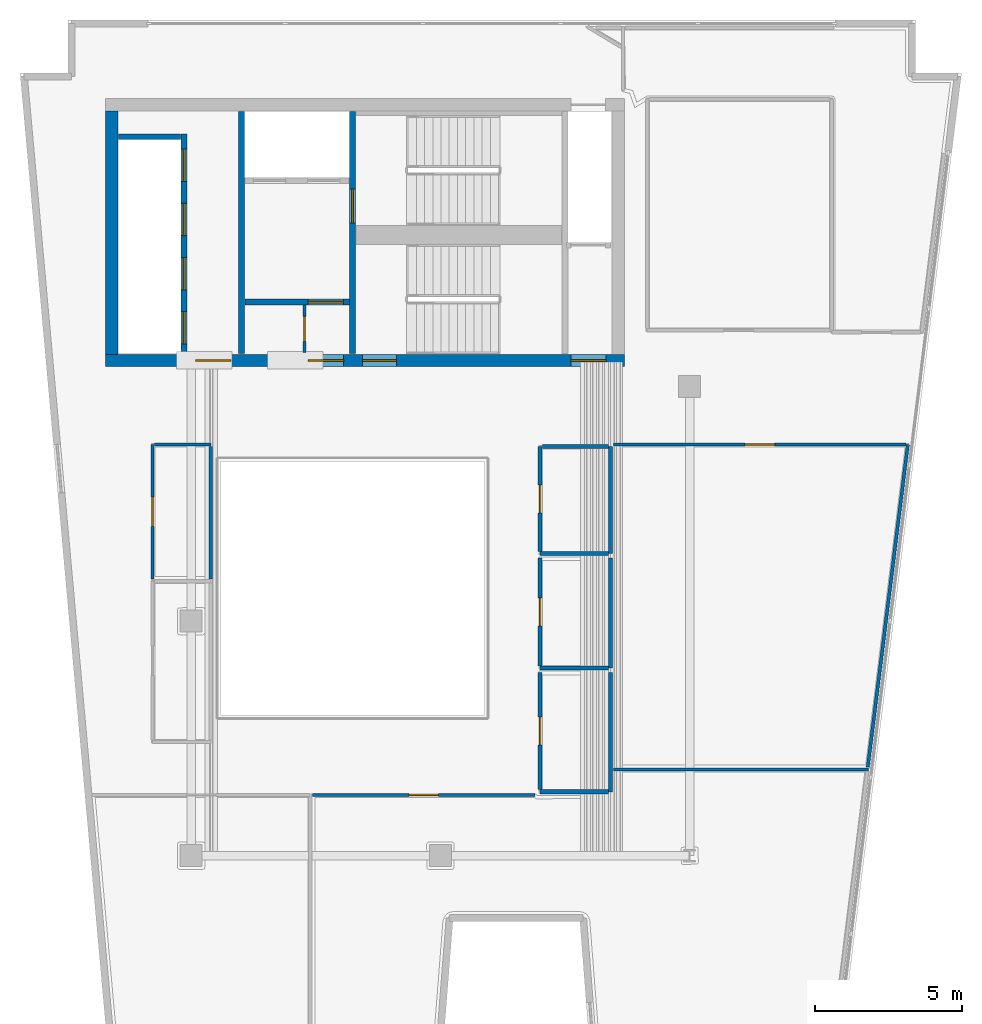
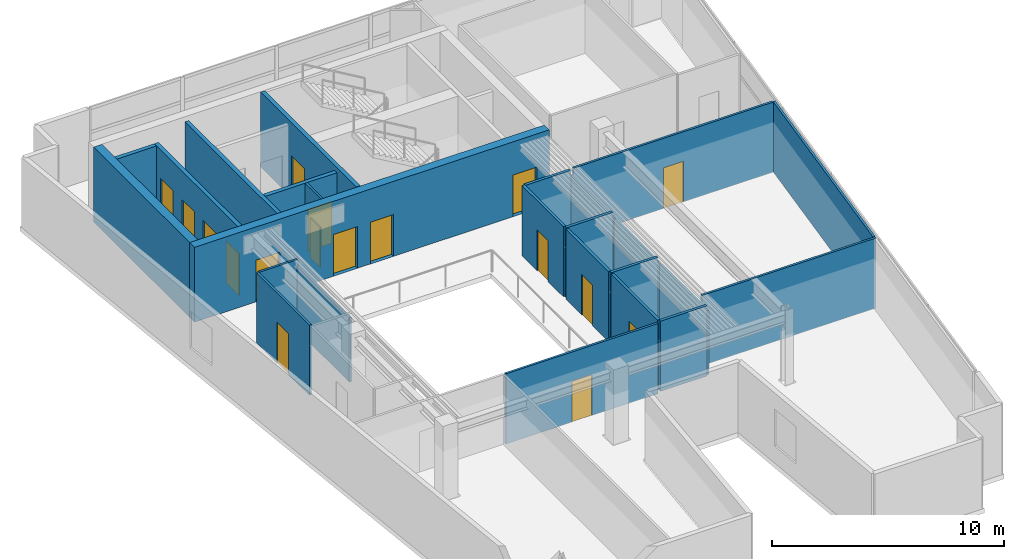
# One storey, part 4 of 7: 25 walls, 17 doors, 17 openings.
"""IFC4 building model written with IfcOpenShell, lengths in metres."""

from ifc_helpers import new_model, si_unit, direction, frame, frame_2d, origin, place, context, subcontext, project, spatial, rectangle, extrude, material, layer, layer_set, type_object, element, fill, save


model = new_model("IFC4")

# Units and contexts
model_context = context("Model", 3, precision=1e-05, world=origin(), true_north=direction((0.0, 1.0)))
body_context = subcontext(model_context, "Body", "Model", "MODEL_VIEW")
ifc_project = project(units=[si_unit("LENGTHUNIT", "METRE"), si_unit("AREAUNIT", "SQUARE_METRE"), si_unit("VOLUMEUNIT", "CUBIC_METRE"), si_unit("PLANEANGLEUNIT", "RADIAN"), si_unit("MASSUNIT", "GRAM", prefix="KILO")], contexts=[model_context])

# Site, building, storey
site_placement = place(None, origin())
site = spatial("IfcSite", under=ifc_project, at=site_placement, CompositionType="ELEMENT")
building_placement = place(site_placement, origin())
building = spatial("IfcBuilding", under=site, at=building_placement, Name="Caeloran Harvest Quay", CompositionType="ELEMENT")
storey_placement = place(building_placement, frame((0.0, 0.0, 264.60009765625)))
storey = spatial("IfcBuildingStorey", under=building, at=storey_placement, Name="L63", CompositionType="ELEMENT", Elevation=264.60009765625)

# Wall, opening, door
ifc_material_1 = material(Name="Fire-Resisting Gypsum Core Riser Partition", Category="gypsum")
ifc_layer_1 = layer(ifc_material_1, 0.10009765625, Name="Fire-Resisting Gypsum Core Riser Partition")
ifc_layer_set_1 = layer_set([ifc_layer_1], Name="Fire-Resisting Gypsum Core Riser Partition")
wall_type_1 = type_object("IfcWallType", Name="INT-WALL-PW-100", PredefinedType="PARTITIONING", material=ifc_layer_set_1)
wall_1_placement = place(storey_placement, frame((12.360107421875, 32.159912109375, 0.0), z_axis=(0.0, 0.0, 1.0), x_axis=(0.0, 1.0, 0.0)))
wall_1 = element("IfcWall", 1, at=wall_1_placement, inside=storey, type_object=wall_type_1, Name="L63 Core Store Partition Wall", PredefinedType="PARTITIONING", context=body_context, shape_type="SweptSolid", body=[
    extrude(rectangle(XDim=1.6201171875, YDim=0.10009765625, at=frame_2d((0.81005859375, 0.0))), origin(), (0.0, 0.0, 1.0), 3.699951171875),
])
opening_1_placement = place(wall_1_placement, frame((0.3798828125, 0.0, 0.0)))
opening_1 = element("IfcOpeningElement", 2, at=opening_1_placement, cuts=wall_1, Name="Opening SV-01", PredefinedType="OPENING", context=body_context, shape_type="SweptSolid", body=[
    extrude(rectangle(XDim=0.85009765625, YDim=2.10009765625, at=frame_2d((0.425048828125, 1.050048828125))), frame((0.0, 0.06005859375, 0.0), z_axis=(0.0, -1.0, 0.0), x_axis=(1.0, 0.0, 0.0)), (0.0, 0.0, 1.0), 0.1201171875),
])
ifc_material_2 = material(Name="Galvanized Painted Steel", Category="steel")
door_type_1 = type_object("IfcDoorType", Name="INTDOOR-SV-01", OperationType="NOTDEFINED", PredefinedType="DOOR", material=ifc_material_2)
door_1_placement = place(opening_1_placement, origin())
door_1 = element("IfcDoor", 3, at=door_1_placement, inside=storey, type_object=door_type_1, Name="L63 Core Service Room Access Door", OperationType="SINGLE_SWING_RIGHT", OverallHeight=2.10009765625, OverallWidth=0.85009765625, PredefinedType="DOOR", context=body_context, shape_type="SweptSolid", body=[
    extrude(rectangle(XDim=0.85009765625, YDim=2.10009765625, at=frame_2d((0.425048828125, 1.050048828125))), frame((0.0, 0.02490234375, 0.0), z_axis=(0.0, -1.0, 0.0), x_axis=(1.0, 0.0, 0.0)), (0.0, 0.0, 1.0), 0.050048828125),
])
fill(opening_1, door_1)

# Wall
ifc_material_3 = material(Name="Single-Stud Acoustic Gypsum Office Partition", Category="gypsum")
ifc_layer_2 = layer(ifc_material_3, 0.112060546875, Name="Single-Stud Acoustic Gypsum Office Partition")
ifc_layer_set_2 = layer_set([ifc_layer_2], Name="Single-Stud Acoustic Gypsum Office Partition")
wall_type_2 = type_object("IfcWallType", Name="INT-WALL-PW-112", PredefinedType="PARTITIONING", material=ifc_layer_set_2)
wall_2_placement = place(storey_placement, frame((22.909912109375, 17.93994140625, 0.0), z_axis=(0.0, 0.0, 1.0), x_axis=(1.0, 0.0, 0.0)))
element("IfcWall", 4, at=wall_2_placement, inside=storey, type_object=wall_type_2, Name="Philanthropy Impact Office Partition Wall", PredefinedType="PARTITIONING", context=body_context, shape_type="SweptSolid", body=[
    extrude(rectangle(XDim=8.6904296875, YDim=0.112060546875, at=frame_2d((4.34521484375, 0.0))), origin(), (0.0, 0.0, 1.0), 3.699951171875),
])

# Wall, opening, door
wall_3_placement = place(storey_placement, frame((12.639892578125, 17.070068359375, 0.0), z_axis=(0.0, 0.0, 1.0), x_axis=(1.0, 0.0, 0.0)))
wall_3 = element("IfcWall", 5, at=wall_3_placement, inside=storey, type_object=wall_type_2, Name="Philanthropy Impact Office Partition Wall", PredefinedType="PARTITIONING", context=body_context, shape_type="SweptSolid", body=[
    extrude(rectangle(XDim=7.587158203125, YDim=0.112060546875, at=frame_2d((3.79345703125, 0.0))), origin(), (0.0, 0.0, 1.0), 3.699951171875),
])
opening_2_placement = place(wall_3_placement, frame((3.29345703125, 0.0, 0.0)))
opening_2 = element("IfcOpeningElement", 6, at=opening_2_placement, cuts=wall_3, Name="Opening ID-01", PredefinedType="OPENING", context=body_context, shape_type="SweptSolid", body=[
    extrude(rectangle(XDim=1.0, YDim=2.14990234375, at=frame_2d((0.5, 1.074951171875))), frame((0.0, 0.06591796875, 0.0), z_axis=(0.0, -1.0, 0.0), x_axis=(1.0, 0.0, 0.0)), (0.0, 0.0, 1.0), 0.132080078125),
])
ifc_material_4 = material(Name="FSC Solid-Core Ash Timber and Acoustic Seal", Category="wood")
door_type_2 = type_object("IfcDoorType", Name="INTDOOR-ID-01", OperationType="NOTDEFINED", PredefinedType="DOOR", material=ifc_material_4)
door_2_placement = place(opening_2_placement, origin())
door_2 = element("IfcDoor", 7, at=door_2_placement, inside=storey, type_object=door_type_2, Name="Philanthropy Impact Office Access Door", OperationType="SINGLE_SWING_LEFT", OverallHeight=2.14990234375, OverallWidth=1.0, PredefinedType="DOOR", context=body_context, shape_type="SweptSolid", body=[
    extrude(rectangle(XDim=1.0, YDim=2.14990234375, at=frame_2d((0.5, 1.074951171875))), frame((0.0, 0.02490234375, 0.0), z_axis=(0.0, -1.0, 0.0), x_axis=(1.0, 0.0, 0.0)), (0.0, 0.0, 1.0), 0.050048828125),
])
fill(opening_2, door_2)

# Wall
wall_4_placement = place(storey_placement, frame((32.94091796875, 29.02001953125, 0.0), z_axis=(0.0, 0.0, 1.0), x_axis=(-0.123232290614, -0.99237785271, 0.0)))
element("IfcWall", 8, at=wall_4_placement, inside=storey, type_object=wall_type_2, Name="Investment Committee Boardroom Partition Wall", PredefinedType="PARTITIONING", context=body_context, shape_type="SweptSolid", body=[
    extrude(rectangle(XDim=11.08447265625, YDim=0.112060546875, at=frame_2d((5.542236328125, 0.0))), origin(), (0.0, 0.0, 1.0), 3.699951171875),
])

# Wall, opening, door
wall_5_placement = place(storey_placement, frame((22.909912109375, 29.02001953125, 0.0), z_axis=(0.0, 0.0, 1.0), x_axis=(1.0, 0.0, 0.0)))
wall_5 = element("IfcWall", 9, at=wall_5_placement, inside=storey, type_object=wall_type_2, Name="Investment Committee Boardroom Partition Wall", PredefinedType="PARTITIONING", context=body_context, shape_type="SweptSolid", body=[
    extrude(rectangle(XDim=9.969482421875, YDim=0.112060546875, at=frame_2d((4.98486328125, 0.0))), origin(), (0.0, 0.0, 1.0), 3.699951171875),
])
opening_3_placement = place(wall_5_placement, frame((4.48486328125, 0.0, 0.0)))
opening_3 = element("IfcOpeningElement", 10, at=opening_3_placement, cuts=wall_5, Name="Opening ID-01", PredefinedType="OPENING", context=body_context, shape_type="SweptSolid", body=[
    extrude(rectangle(XDim=1.0, YDim=2.14990234375, at=frame_2d((0.5, 1.074951171875))), frame((0.0, 0.06591796875, 0.0), z_axis=(0.0, -1.0, 0.0), x_axis=(1.0, 0.0, 0.0)), (0.0, 0.0, 1.0), 0.132080078125),
])
door_3_placement = place(opening_3_placement, origin())
door_3 = element("IfcDoor", 11, at=door_3_placement, inside=storey, type_object=door_type_2, Name="Investment Committee Boardroom Access Door", OperationType="SINGLE_SWING_LEFT", OverallHeight=2.14990234375, OverallWidth=1.0, PredefinedType="DOOR", context=body_context, shape_type="SweptSolid", body=[
    extrude(rectangle(XDim=1.0, YDim=2.14990234375, at=frame_2d((0.5, 1.074951171875))), frame((0.0, 0.02490234375, 0.0), z_axis=(0.0, -1.0, 0.0), x_axis=(1.0, 0.0, 0.0)), (0.0, 0.0, 1.0), 0.050048828125),
])
fill(opening_3, door_3)

wall_6_placement = place(storey_placement, frame((7.179931640625, 24.43994140625, 0.0), z_axis=(0.0, 0.0, 1.0), x_axis=(0.0, 1.0, 0.0)))
wall_6 = element("IfcWall", 12, at=wall_6_placement, inside=storey, type_object=wall_type_2, Name="Harbour Sky Salon Lounge Partition Wall", PredefinedType="PARTITIONING", context=body_context, shape_type="SweptSolid", body=[
    extrude(rectangle(XDim=4.580078125, YDim=0.112060546875, at=frame_2d((2.2900390625, 0.0))), origin(), (0.0, 0.0, 1.0), 3.699951171875),
])
opening_4_placement = place(wall_6_placement, frame((1.7900390625, 0.0, 0.0)))
opening_4 = element("IfcOpeningElement", 13, at=opening_4_placement, cuts=wall_6, Name="Opening ID-01", PredefinedType="OPENING", context=body_context, shape_type="SweptSolid", body=[
    extrude(rectangle(XDim=1.0, YDim=2.14990234375, at=frame_2d((0.5, 1.074951171875))), frame((0.0, 0.06591796875, 0.0), z_axis=(0.0, -1.0, 0.0), x_axis=(1.0, 0.0, 0.0)), (0.0, 0.0, 1.0), 0.132080078125),
])
door_4_placement = place(opening_4_placement, origin())
door_4 = element("IfcDoor", 14, at=door_4_placement, inside=storey, type_object=door_type_2, Name="Harbour Sky Salon Lounge Access Door", OperationType="SINGLE_SWING_RIGHT", OverallHeight=2.14990234375, OverallWidth=1.0, PredefinedType="DOOR", context=body_context, shape_type="SweptSolid", body=[
    extrude(rectangle(XDim=1.0, YDim=2.14990234375, at=frame_2d((0.5, 1.074951171875))), frame((0.0, 0.02490234375, 0.0), z_axis=(0.0, -1.0, 0.0), x_axis=(1.0, 0.0, 0.0)), (0.0, 0.0, 1.0), 0.050048828125),
])
fill(opening_4, door_4)

# Walls
wall_7_placement = place(storey_placement, frame((7.240966796875, 29.02001953125, 0.0), z_axis=(0.0, 0.0, 1.0), x_axis=(1.0, 0.0, 0.0)))
element("IfcWall", 15, at=wall_7_placement, inside=storey, type_object=wall_type_2, Name="Harbour Sky Salon Lounge Partition Wall", PredefinedType="PARTITIONING", context=body_context, shape_type="SweptSolid", body=[
    extrude(rectangle(XDim=1.928955078125, YDim=0.112060546875, at=frame_2d((0.96435546875, 0.0))), origin(), (0.0, 0.0, 1.0), 3.699951171875),
])
wall_8_placement = place(storey_placement, frame((9.169921875, 28.958984375, 0.0), z_axis=(0.0, 0.0, 1.0), x_axis=(0.0, -1.0, 0.0)))
element("IfcWall", 16, at=wall_8_placement, inside=storey, type_object=wall_type_2, Name="Harbour Sky Salon Lounge Partition Wall", PredefinedType="PARTITIONING", context=body_context, shape_type="SweptSolid", body=[
    extrude(rectangle(XDim=4.51904296875, YDim=0.112060546875, at=frame_2d((2.259521484375, 0.0))), origin(), (0.0, 0.0, 1.0), 3.385009765625),
])
ifc_material_5 = material(Name="Moisture-Resistant Cement-Board Sanitary Partition", Category="gypsum")
ifc_layer_3 = layer(ifc_material_5, 0.139892578125, Name="Moisture-Resistant Cement-Board Sanitary Partition")
ifc_layer_set_3 = layer_set([ifc_layer_3], Name="Moisture-Resistant Cement-Board Sanitary Partition")
wall_type_3 = type_object("IfcWallType", Name="INT-WALL-PW-140", PredefinedType="PARTITIONING", material=ifc_layer_set_3)
wall_9_placement = place(storey_placement, frame((22.800048828125, 28.949951171875, 0.0), z_axis=(0.0, 0.0, 1.0), x_axis=(0.0, -1.0, 0.0)))
element("IfcWall", 17, at=wall_9_placement, inside=storey, type_object=wall_type_3, Name="L63 Male Washroom WC Partition Wall", PredefinedType="PARTITIONING", context=body_context, shape_type="SweptSolid", body=[
    extrude(rectangle(XDim=3.64990234375, YDim=0.139892578125, at=frame_2d((1.824951171875, 0.0))), origin(), (0.0, 0.0, 1.0), 3.385009765625),
])
wall_10_placement = place(storey_placement, frame((22.72509765625, 25.300048828125, 0.0), z_axis=(0.0, 0.0, 1.0), x_axis=(-1.0, 0.0, 0.0)))
element("IfcWall", 18, at=wall_10_placement, inside=storey, type_object=wall_type_3, Name="L63 Male Washroom WC Partition Wall", PredefinedType="PARTITIONING", context=body_context, shape_type="SweptSolid", body=[
    extrude(rectangle(XDim=2.3251953125, YDim=0.139892578125, at=frame_2d((1.16259765625, 0.0))), origin(), (0.0, 0.0, 1.0), 3.699951171875),
])

# Wall, opening, door
wall_11_placement = place(storey_placement, frame((20.39990234375, 25.375, 0.0), z_axis=(0.0, 0.0, 1.0), x_axis=(0.0, 1.0, 0.0)))
wall_11 = element("IfcWall", 19, at=wall_11_placement, inside=storey, type_object=wall_type_3, Name="L63 Male Washroom WC Partition Wall", PredefinedType="PARTITIONING", context=body_context, shape_type="SweptSolid", body=[
    extrude(rectangle(XDim=3.574951171875, YDim=0.139892578125, at=frame_2d((1.78759765625, 0.0))), origin(), (0.0, 0.0, 1.0), 3.699951171875),
])
opening_5_placement = place(wall_11_placement, frame((1.3125, 0.0, 0.0)))
opening_5 = element("IfcOpeningElement", 20, at=opening_5_placement, cuts=wall_11, Name="Opening WC-01", PredefinedType="OPENING", context=body_context, shape_type="SweptSolid", body=[
    extrude(rectangle(XDim=0.949951171875, YDim=2.14990234375, at=frame_2d((0.47509765625, 1.074951171875))), frame((0.0, 0.080078125, 0.0), z_axis=(0.0, -1.0, 0.0), x_axis=(1.0, 0.0, 0.0)), (0.0, 0.0, 1.0), 0.159912109375),
])
ifc_material_6 = material(Name="High-Pressure Laminate Moisture-Resistant Timber", Category="wood")
door_type_3 = type_object("IfcDoorType", Name="INTDOOR-WC-01", OperationType="NOTDEFINED", PredefinedType="DOOR", material=ifc_material_6)
door_5_placement = place(opening_5_placement, origin())
door_5 = element("IfcDoor", 21, at=door_5_placement, inside=storey, type_object=door_type_3, Name="L63 Male Washroom WC Access Door", OperationType="SINGLE_SWING_LEFT", OverallHeight=2.14990234375, OverallWidth=0.949951171875, PredefinedType="DOOR", context=body_context, shape_type="SweptSolid", body=[
    extrude(rectangle(XDim=0.949951171875, YDim=2.14990234375, at=frame_2d((0.47509765625, 1.074951171875))), frame((0.0, 0.02490234375, 0.0), z_axis=(0.0, -1.0, 0.0), x_axis=(1.0, 0.0, 0.0)), (0.0, 0.0, 1.0), 0.050048828125),
])
fill(opening_5, door_5)

# Walls
wall_12_placement = place(storey_placement, frame((20.47509765625, 28.949951171875, 0.0), z_axis=(0.0, 0.0, 1.0), x_axis=(1.0, 0.0, 0.0)))
element("IfcWall", 22, at=wall_12_placement, inside=storey, type_object=wall_type_3, Name="L63 Male Washroom WC Partition Wall", PredefinedType="PARTITIONING", context=body_context, shape_type="SweptSolid", body=[
    extrude(rectangle(XDim=2.25, YDim=0.139892578125, at=frame_2d((1.125, 0.0))), origin(), (0.0, 0.0, 1.0), 3.699951171875),
])
wall_13_placement = place(storey_placement, frame((22.800048828125, 25.14990234375, 0.0), z_axis=(0.0, 0.0, 1.0), x_axis=(0.0, -1.0, 0.0)))
element("IfcWall", 23, at=wall_13_placement, inside=storey, type_object=wall_type_3, Name="L63 Female Washroom WC Partition Wall", PredefinedType="PARTITIONING", context=body_context, shape_type="SweptSolid", body=[
    extrude(rectangle(XDim=3.75, YDim=0.139892578125, at=frame_2d((1.875, 0.0))), origin(), (0.0, 0.0, 1.0), 3.385009765625),
])
wall_14_placement = place(storey_placement, frame((22.72509765625, 21.39990234375, 0.0), z_axis=(0.0, 0.0, 1.0), x_axis=(-1.0, 0.0, 0.0)))
element("IfcWall", 24, at=wall_14_placement, inside=storey, type_object=wall_type_3, Name="L63 Female Washroom WC Partition Wall", PredefinedType="PARTITIONING", context=body_context, shape_type="SweptSolid", body=[
    extrude(rectangle(XDim=2.3251953125, YDim=0.139892578125, at=frame_2d((1.16259765625, 0.0))), origin(), (0.0, 0.0, 1.0), 3.699951171875),
])

# Wall, opening, door
wall_15_placement = place(storey_placement, frame((20.39990234375, 21.47509765625, 0.0), z_axis=(0.0, 0.0, 1.0), x_axis=(0.0, 1.0, 0.0)))
wall_15 = element("IfcWall", 25, at=wall_15_placement, inside=storey, type_object=wall_type_3, Name="L63 Female Washroom WC Partition Wall", PredefinedType="PARTITIONING", context=body_context, shape_type="SweptSolid", body=[
    extrude(rectangle(XDim=3.6748046875, YDim=0.139892578125, at=frame_2d((1.83740234375, 0.0))), origin(), (0.0, 0.0, 1.0), 3.699951171875),
])
opening_6_placement = place(wall_15_placement, frame((1.362548828125, 0.0, 0.0)))
opening_6 = element("IfcOpeningElement", 26, at=opening_6_placement, cuts=wall_15, Name="Opening WC-01", PredefinedType="OPENING", context=body_context, shape_type="SweptSolid", body=[
    extrude(rectangle(XDim=0.949951171875, YDim=2.14990234375, at=frame_2d((0.47509765625, 1.074951171875))), frame((0.0, 0.080078125, 0.0), z_axis=(0.0, -1.0, 0.0), x_axis=(1.0, 0.0, 0.0)), (0.0, 0.0, 1.0), 0.159912109375),
])
door_6_placement = place(opening_6_placement, origin())
door_6 = element("IfcDoor", 27, at=door_6_placement, inside=storey, type_object=door_type_3, Name="L63 Female Washroom WC Access Door", OperationType="SINGLE_SWING_RIGHT", OverallHeight=2.14990234375, OverallWidth=0.949951171875, PredefinedType="DOOR", context=body_context, shape_type="SweptSolid", body=[
    extrude(rectangle(XDim=0.949951171875, YDim=2.14990234375, at=frame_2d((0.47509765625, 1.074951171875))), frame((0.0, 0.02490234375, 0.0), z_axis=(0.0, -1.0, 0.0), x_axis=(1.0, 0.0, 0.0)), (0.0, 0.0, 1.0), 0.050048828125),
])
fill(opening_6, door_6)

# Walls
wall_16_placement = place(storey_placement, frame((22.800048828125, 21.25, 0.0), z_axis=(0.0, 0.0, 1.0), x_axis=(0.0, -1.0, 0.0)))
element("IfcWall", 28, at=wall_16_placement, inside=storey, type_object=wall_type_3, Name="L63 Accessible Unisex Washroom WC Partition Wall", PredefinedType="PARTITIONING", context=body_context, shape_type="SweptSolid", body=[
    extrude(rectangle(XDim=4.070068359375, YDim=0.139892578125, at=frame_2d((2.03515625, 0.0))), origin(), (0.0, 0.0, 1.0), 3.385009765625),
])
wall_17_placement = place(storey_placement, frame((22.72509765625, 17.179931640625, 0.0), z_axis=(0.0, 0.0, 1.0), x_axis=(-1.0, 0.0, 0.0)))
element("IfcWall", 29, at=wall_17_placement, inside=storey, type_object=wall_type_3, Name="L63 Accessible Unisex Washroom WC Partition Wall", PredefinedType="PARTITIONING", context=body_context, shape_type="SweptSolid", body=[
    extrude(rectangle(XDim=2.3251953125, YDim=0.139892578125, at=frame_2d((1.16259765625, 0.0))), origin(), (0.0, 0.0, 1.0), 3.699951171875),
])

# Wall, opening, door
wall_18_placement = place(storey_placement, frame((20.39990234375, 17.2548828125, 0.0), z_axis=(0.0, 0.0, 1.0), x_axis=(0.0, 1.0, 0.0)))
wall_18 = element("IfcWall", 30, at=wall_18_placement, inside=storey, type_object=wall_type_3, Name="L63 Accessible Unisex Washroom WC Partition Wall", PredefinedType="PARTITIONING", context=body_context, shape_type="SweptSolid", body=[
    extrude(rectangle(XDim=3.9951171875, YDim=0.139892578125, at=frame_2d((1.99755859375, 0.0))), origin(), (0.0, 0.0, 1.0), 3.699951171875),
])
opening_7_placement = place(wall_18_placement, frame((1.5224609375, 0.0, 0.0)))
opening_7 = element("IfcOpeningElement", 31, at=opening_7_placement, cuts=wall_18, Name="Opening WC-01", PredefinedType="OPENING", context=body_context, shape_type="SweptSolid", body=[
    extrude(rectangle(XDim=0.949951171875, YDim=2.14990234375, at=frame_2d((0.47509765625, 1.074951171875))), frame((0.0, 0.080078125, 0.0), z_axis=(0.0, -1.0, 0.0), x_axis=(1.0, 0.0, 0.0)), (0.0, 0.0, 1.0), 0.159912109375),
])
door_7_placement = place(opening_7_placement, origin())
door_7 = element("IfcDoor", 32, at=door_7_placement, inside=storey, type_object=door_type_3, Name="L63 Accessible Unisex Washroom WC Access Door", OperationType="SINGLE_SWING_LEFT", OverallHeight=2.14990234375, OverallWidth=0.949951171875, PredefinedType="DOOR", context=body_context, shape_type="SweptSolid", body=[
    extrude(rectangle(XDim=0.949951171875, YDim=2.14990234375, at=frame_2d((0.47509765625, 1.074951171875))), frame((0.0, 0.02490234375, 0.0), z_axis=(0.0, -1.0, 0.0), x_axis=(1.0, 0.0, 0.0)), (0.0, 0.0, 1.0), 0.050048828125),
])
fill(opening_7, door_7)

# Wall, openings, doors
ifc_material_7 = material(Name="Concrete C50/60", Category="concrete")
ifc_layer_4 = layer(ifc_material_7, 0.199951171875, Name="Concrete C50/60")
ifc_layer_set_4 = layer_set([ifc_layer_4], Name="Concrete C50/60")
wall_type_4 = type_object("IfcWallType", Name="INT-WALL-SW-200", PredefinedType="PARTITIONING", material=ifc_layer_set_4)
wall_19_placement = place(storey_placement, frame((8.260009765625, 32.1201171875, 0.0), z_axis=(0.0, 0.0, 1.0), x_axis=(0.0, 1.0, 0.0)))
wall_19 = element("IfcWall", 33, at=wall_19_placement, inside=storey, type_object=wall_type_4, Name="L63 Bank 3 Lift Shaft Wall", PredefinedType="PARTITIONING", context=body_context, shape_type="SweptSolid", body=[
    extrude(rectangle(XDim=7.5, YDim=0.199951171875, at=frame_2d((3.75, 0.0))), origin(), (0.0, 0.0, 1.0), 3.699951171875),
])
opening_8_placement = place(wall_19_placement, frame((0.330078125, 0.0, 0.0)))
opening_8 = element("IfcOpeningElement", 34, at=opening_8_placement, cuts=wall_19, Name="Opening LD-01", PredefinedType="OPENING", context=body_context, shape_type="SweptSolid", body=[
    extrude(rectangle(XDim=1.10009765625, YDim=2.199951171875, at=frame_2d((0.550048828125, 1.10009765625))), frame((0.0, 0.10986328125, 0.0), z_axis=(0.0, -1.0, 0.0), x_axis=(1.0, 0.0, 0.0)), (0.0, 0.0, 1.0), 0.219970703125),
])
opening_9_placement = place(wall_19_placement, frame((2.179931640625, 0.0, 0.0)))
opening_9 = element("IfcOpeningElement", 35, at=opening_9_placement, cuts=wall_19, Name="Opening LD-01", PredefinedType="OPENING", context=body_context, shape_type="SweptSolid", body=[
    extrude(rectangle(XDim=1.10009765625, YDim=2.199951171875, at=frame_2d((0.550048828125, 1.10009765625))), frame((0.0, 0.10986328125, 0.0), z_axis=(0.0, -1.0, 0.0), x_axis=(1.0, 0.0, 0.0)), (0.0, 0.0, 1.0), 0.219970703125),
])
opening_10_placement = place(wall_19_placement, frame((4.030029296875, 0.0, 0.0)))
opening_10 = element("IfcOpeningElement", 36, at=opening_10_placement, cuts=wall_19, Name="Opening LD-01", PredefinedType="OPENING", context=body_context, shape_type="SweptSolid", body=[
    extrude(rectangle(XDim=1.10009765625, YDim=2.199951171875, at=frame_2d((0.550048828125, 1.10009765625))), frame((0.0, 0.10986328125, 0.0), z_axis=(0.0, -1.0, 0.0), x_axis=(1.0, 0.0, 0.0)), (0.0, 0.0, 1.0), 0.219970703125),
])
opening_11_placement = place(wall_19_placement, frame((5.8798828125, 0.0, 0.0)))
opening_11 = element("IfcOpeningElement", 37, at=opening_11_placement, cuts=wall_19, Name="Opening LD-01", PredefinedType="OPENING", context=body_context, shape_type="SweptSolid", body=[
    extrude(rectangle(XDim=1.10009765625, YDim=2.199951171875, at=frame_2d((0.550048828125, 1.10009765625))), frame((0.0, 0.10986328125, 0.0), z_axis=(0.0, -1.0, 0.0), x_axis=(1.0, 0.0, 0.0)), (0.0, 0.0, 1.0), 0.219970703125),
])
ifc_material_8 = material(Name="Stainless Steel Grade 316", Category="steel")
door_type_4 = type_object("IfcDoorType", Name="INTDOOR-LD-01", OperationType="NOTDEFINED", PredefinedType="DOOR", material=ifc_material_8)
door_8_placement = place(opening_8_placement, origin())
door_8 = element("IfcDoor", 38, at=door_8_placement, inside=storey, type_object=door_type_4, Name="Lift P3-1 Sliding Landing Door (L63)", OperationType="DOUBLE_DOOR_SLIDING", OverallHeight=2.199951171875, OverallWidth=1.10009765625, PredefinedType="DOOR", context=body_context, shape_type="SweptSolid", body=[
    extrude(rectangle(XDim=1.10009765625, YDim=2.199951171875, at=frame_2d((0.550048828125, 1.10009765625))), frame((0.0, 0.02490234375, 0.0), z_axis=(0.0, -1.0, 0.0), x_axis=(1.0, 0.0, 0.0)), (0.0, 0.0, 1.0), 0.050048828125),
])
fill(opening_8, door_8)
door_9_placement = place(opening_9_placement, origin())
door_9 = element("IfcDoor", 39, at=door_9_placement, inside=storey, type_object=door_type_4, Name="Lift P3-2 Sliding Landing Door (L63)", OperationType="DOUBLE_DOOR_SLIDING", OverallHeight=2.199951171875, OverallWidth=1.10009765625, PredefinedType="DOOR", context=body_context, shape_type="SweptSolid", body=[
    extrude(rectangle(XDim=1.10009765625, YDim=2.199951171875, at=frame_2d((0.550048828125, 1.10009765625))), frame((0.0, 0.02490234375, 0.0), z_axis=(0.0, -1.0, 0.0), x_axis=(1.0, 0.0, 0.0)), (0.0, 0.0, 1.0), 0.050048828125),
])
fill(opening_9, door_9)
door_10_placement = place(opening_10_placement, origin())
door_10 = element("IfcDoor", 40, at=door_10_placement, inside=storey, type_object=door_type_4, Name="Lift P3-3 Sliding Landing Door (L63)", OperationType="DOUBLE_DOOR_SLIDING", OverallHeight=2.199951171875, OverallWidth=1.10009765625, PredefinedType="DOOR", context=body_context, shape_type="SweptSolid", body=[
    extrude(rectangle(XDim=1.10009765625, YDim=2.199951171875, at=frame_2d((0.550048828125, 1.10009765625))), frame((0.0, 0.02490234375, 0.0), z_axis=(0.0, -1.0, 0.0), x_axis=(1.0, 0.0, 0.0)), (0.0, 0.0, 1.0), 0.050048828125),
])
fill(opening_10, door_10)
door_11_placement = place(opening_11_placement, origin())
door_11 = element("IfcDoor", 41, at=door_11_placement, inside=storey, type_object=door_type_4, Name="Lift P3-4 Sliding Landing Door (L63)", OperationType="DOUBLE_DOOR_SLIDING", OverallHeight=2.199951171875, OverallWidth=1.10009765625, PredefinedType="DOOR", context=body_context, shape_type="SweptSolid", body=[
    extrude(rectangle(XDim=1.10009765625, YDim=2.199951171875, at=frame_2d((0.550048828125, 1.10009765625))), frame((0.0, 0.02490234375, 0.0), z_axis=(0.0, -1.0, 0.0), x_axis=(1.0, 0.0, 0.0)), (0.0, 0.0, 1.0), 0.050048828125),
])
fill(opening_11, door_11)

# Walls
wall_20_placement = place(storey_placement, frame((6.02001953125, 39.52001953125, 0.0), z_axis=(0.0, 0.0, 1.0), x_axis=(1.0, 0.0, 0.0)))
element("IfcWall", 42, at=wall_20_placement, inside=storey, type_object=wall_type_4, Name="L63 Bank 3 Lift Shaft North End Wall", PredefinedType="PARTITIONING", context=body_context, shape_type="SweptSolid", body=[
    extrude(rectangle(XDim=2.119873046875, YDim=0.199951171875, at=frame_2d((1.06005859375, 0.0))), origin(), (0.0, 0.0, 1.0), 3.699951171875),
])
wall_21_placement = place(storey_placement, frame((10.219970703125, 32.1201171875, 0.0), z_axis=(0.0, 0.0, 1.0), x_axis=(0.0, 1.0, 0.0)))
element("IfcWall", 43, at=wall_21_placement, inside=storey, type_object=wall_type_4, Name="L63 Core Lobby Compartment Wall", PredefinedType="PARTITIONING", context=body_context, shape_type="SweptSolid", body=[
    extrude(rectangle(XDim=8.259765625, YDim=0.199951171875, at=frame_2d((4.1298828125, 0.0))), origin(), (0.0, 0.0, 1.0), 3.699951171875),
])

# Wall, opening, door
wall_22_placement = place(storey_placement, frame((10.340087890625, 33.8798828125, 0.0), z_axis=(0.0, 0.0, 1.0), x_axis=(1.0, 0.0, 0.0)))
wall_22 = element("IfcWall", 44, at=wall_22_placement, inside=storey, type_object=wall_type_4, Name="L63 Firefighting Lift Lobby Enclosure Wall", PredefinedType="PARTITIONING", context=body_context, shape_type="SweptSolid", body=[
    extrude(rectangle(XDim=3.559814453125, YDim=0.199951171875, at=frame_2d((1.77978515625, 0.0))), origin(), (0.0, 0.0, 1.0), 3.699951171875),
])
opening_12_placement = place(wall_22_placement, frame((2.14990234375, 0.0, 0.0)))
opening_12 = element("IfcOpeningElement", 45, at=opening_12_placement, cuts=wall_22, Name="Opening FD-01", PredefinedType="OPENING", context=body_context, shape_type="SweptSolid", body=[
    extrude(rectangle(XDim=1.199951171875, YDim=2.199951171875, at=frame_2d((0.60009765625, 1.10009765625))), frame((0.0, 0.10986328125, 0.0), z_axis=(0.0, -1.0, 0.0), x_axis=(1.0, 0.0, 0.0)), (0.0, 0.0, 1.0), 0.219970703125),
])
ifc_material_9 = material(Name="Steel", Category="steel")
door_type_5 = type_object("IfcDoorType", Name="INTDOOR-FD-01", OperationType="NOTDEFINED", PredefinedType="DOOR", material=ifc_material_9)
door_12_placement = place(opening_12_placement, origin())
door_12 = element("IfcDoor", 46, at=door_12_placement, inside=storey, type_object=door_type_5, Name="L63 Firefighting Lift Lobby Smoke-Seal Fire Door", OperationType="SINGLE_SWING_LEFT", OverallHeight=2.199951171875, OverallWidth=1.199951171875, PredefinedType="DOOR", context=body_context, shape_type="SweptSolid", body=[
    extrude(rectangle(XDim=1.199951171875, YDim=2.199951171875, at=frame_2d((0.60009765625, 1.10009765625))), frame((0.0, 0.02490234375, 0.0), z_axis=(0.0, -1.0, 0.0), x_axis=(1.0, 0.0, 0.0)), (0.0, 0.0, 1.0), 0.050048828125),
])
fill(opening_12, door_12)

# Wall, openings, doors
ifc_material_10 = material(Name="Concrete C60/75", Category="concrete")
ifc_layer_5 = layer(ifc_material_10, 0.419921875, Name="Concrete C60/75")
ifc_layer_set_5 = layer_set([ifc_layer_5], Name="Concrete C60/75")
wall_type_5 = type_object("IfcWallType", Name="STR-WALL-CW-420", PredefinedType="SHEAR", material=ifc_layer_set_5)
wall_23_placement = place(storey_placement, frame((5.580078125, 31.889892578125, 0.0), z_axis=(0.0, 0.0, 1.0), x_axis=(1.0, 0.0, 0.0)))
wall_23 = element("IfcWall", 47, at=wall_23_placement, inside=storey, type_object=wall_type_5, Name="L63 Rear Core Shear Wall S", PredefinedType="SHEAR", context=body_context, shape_type="SweptSolid", body=[
    extrude(rectangle(XDim=17.68994140625, YDim=0.419921875, at=frame_2d((8.844970703125, 0.0))), origin(), (0.0, 0.0, 1.0), 3.949951171875),
])
opening_13_placement = place(wall_23_placement, frame((3.070068359375, 0.0, 0.0)))
opening_13 = element("IfcOpeningElement", 48, at=opening_13_placement, cuts=wall_23, Name="Opening FD-01", PredefinedType="OPENING", context=body_context, shape_type="SweptSolid", body=[
    extrude(rectangle(XDim=1.199951171875, YDim=2.199951171875, at=frame_2d((0.60009765625, 1.10009765625))), frame((0.0, 0.219970703125, 0.0), z_axis=(0.0, -1.0, 0.0), x_axis=(1.0, 0.0, 0.0)), (0.0, 0.0, 1.0), 0.43994140625),
])
opening_14_placement = place(wall_23_placement, frame((6.919921875, 0.0, 0.0)))
opening_14 = element("IfcOpeningElement", 49, at=opening_14_placement, cuts=wall_23, Name="Opening FD-01", PredefinedType="OPENING", context=body_context, shape_type="SweptSolid", body=[
    extrude(rectangle(XDim=1.199951171875, YDim=2.199951171875, at=frame_2d((0.60009765625, 1.10009765625))), frame((0.0, 0.219970703125, 0.0), z_axis=(0.0, -1.0, 0.0), x_axis=(1.0, 0.0, 0.0)), (0.0, 0.0, 1.0), 0.43994140625),
])
opening_15_placement = place(wall_23_placement, frame((8.77001953125, 0.0, 0.0)))
opening_15 = element("IfcOpeningElement", 50, at=opening_15_placement, cuts=wall_23, Name="Opening SD-01", PredefinedType="OPENING", context=body_context, shape_type="SweptSolid", body=[
    extrude(rectangle(XDim=1.14990234375, YDim=2.199951171875, at=frame_2d((0.574951171875, 1.10009765625))), frame((0.0, 0.219970703125, 0.0), z_axis=(0.0, -1.0, 0.0), x_axis=(1.0, 0.0, 0.0)), (0.0, 0.0, 1.0), 0.43994140625),
])
opening_16_placement = place(wall_23_placement, frame((15.8701171875, 0.0, 0.0)))
opening_16 = element("IfcOpeningElement", 51, at=opening_16_placement, cuts=wall_23, Name="Opening FD-01", PredefinedType="OPENING", context=body_context, shape_type="SweptSolid", body=[
    extrude(rectangle(XDim=1.199951171875, YDim=2.199951171875, at=frame_2d((0.60009765625, 1.10009765625))), frame((0.0, 0.219970703125, 0.0), z_axis=(0.0, -1.0, 0.0), x_axis=(1.0, 0.0, 0.0)), (0.0, 0.0, 1.0), 0.43994140625),
])
door_13_placement = place(opening_13_placement, origin())
door_13 = element("IfcDoor", 52, at=door_13_placement, inside=storey, type_object=door_type_5, Name="L63 High-Rise Lift Lobby Fire Door", OperationType="SINGLE_SWING_LEFT", OverallHeight=2.199951171875, OverallWidth=1.199951171875, PredefinedType="DOOR", context=body_context, shape_type="SweptSolid", body=[
    extrude(rectangle(XDim=1.199951171875, YDim=2.199951171875, at=frame_2d((0.60009765625, 1.10009765625))), frame((0.0, 0.02490234375, 0.0), z_axis=(0.0, -1.0, 0.0), x_axis=(1.0, 0.0, 0.0)), (0.0, 0.0, 1.0), 0.050048828125),
])
fill(opening_13, door_13)
door_14_placement = place(opening_14_placement, origin())
door_14 = element("IfcDoor", 53, at=door_14_placement, inside=storey, type_object=door_type_5, Name="L63 Firefighting Lobby Vestibule Fire Door", OperationType="SINGLE_SWING_RIGHT", OverallHeight=2.199951171875, OverallWidth=1.199951171875, PredefinedType="DOOR", context=body_context, shape_type="SweptSolid", body=[
    extrude(rectangle(XDim=1.199951171875, YDim=2.199951171875, at=frame_2d((0.60009765625, 1.10009765625))), frame((0.0, 0.02490234375, 0.0), z_axis=(0.0, -1.0, 0.0), x_axis=(1.0, 0.0, 0.0)), (0.0, 0.0, 1.0), 0.050048828125),
])
fill(opening_14, door_14)
door_15_placement = place(opening_16_placement, origin())
door_15 = element("IfcDoor", 54, at=door_15_placement, inside=storey, type_object=door_type_5, Name="L63 Service Lift Lobby Fire Door", OperationType="SINGLE_SWING_RIGHT", OverallHeight=2.199951171875, OverallWidth=1.199951171875, PredefinedType="DOOR", context=body_context, shape_type="SweptSolid", body=[
    extrude(rectangle(XDim=1.199951171875, YDim=2.199951171875, at=frame_2d((0.60009765625, 1.10009765625))), frame((0.0, 0.02490234375, 0.0), z_axis=(0.0, -1.0, 0.0), x_axis=(1.0, 0.0, 0.0)), (0.0, 0.0, 1.0), 0.050048828125),
])
fill(opening_16, door_15)
door_type_6 = type_object("IfcDoorType", Name="INTDOOR-SD-01", OperationType="NOTDEFINED", PredefinedType="DOOR", material=ifc_material_9)
door_16_placement = place(opening_15_placement, origin())
door_16 = element("IfcDoor", 55, at=door_16_placement, inside=storey, type_object=door_type_6, Name="L63 Protected Stair ST-C2 Exit Door", OperationType="SINGLE_SWING_LEFT", OverallHeight=2.199951171875, OverallWidth=1.14990234375, PredefinedType="DOOR", context=body_context, shape_type="SweptSolid", body=[
    extrude(rectangle(XDim=1.14990234375, YDim=2.199951171875, at=frame_2d((0.574951171875, 1.10009765625))), frame((0.0, 0.02490234375, 0.0), z_axis=(0.0, -1.0, 0.0), x_axis=(1.0, 0.0, 0.0)), (0.0, 0.0, 1.0), 0.050048828125),
])
fill(opening_15, door_16)

# Wall
wall_24_placement = place(storey_placement, frame((5.7900390625, 32.10009765625, 0.0), z_axis=(0.0, 0.0, 1.0), x_axis=(0.0, 1.0, 0.0)))
element("IfcWall", 56, at=wall_24_placement, inside=storey, type_object=wall_type_5, Name="L63 Rear Core Shear Wall W", PredefinedType="SHEAR", context=body_context, shape_type="SweptSolid", body=[
    extrude(rectangle(XDim=8.2998046875, YDim=0.419921875, at=frame_2d((4.14990234375, 0.0))), origin(), (0.0, 0.0, 1.0), 3.949951171875),
])

# Wall, opening, door
ifc_layer_6 = layer(ifc_material_10, 0.199951171875, Name="Concrete C60/75")
ifc_layer_set_6 = layer_set([ifc_layer_6], Name="Concrete C60/75")
wall_type_6 = type_object("IfcWallType", Name="STR-WALL-SW-200", PredefinedType="SHEAR", material=ifc_layer_set_6)
wall_25_placement = place(storey_placement, frame((14.0, 32.1201171875, 0.0), z_axis=(0.0, 0.0, 1.0), x_axis=(0.0, 1.0, 0.0)))
wall_25 = element("IfcWall", 57, at=wall_25_placement, inside=storey, type_object=wall_type_6, Name="L63 Core Stair Shaft West Shear Wall", PredefinedType="SHEAR", context=body_context, shape_type="SweptSolid", body=[
    extrude(rectangle(XDim=8.259765625, YDim=0.199951171875, at=frame_2d((4.1298828125, 0.0))), origin(), (0.0, 0.0, 1.0), 3.949951171875),
])
opening_17_placement = place(wall_25_placement, frame((4.4599609375, 0.0, 0.0)))
opening_17 = element("IfcOpeningElement", 58, at=opening_17_placement, cuts=wall_25, Name="Opening SD-01", PredefinedType="OPENING", context=body_context, shape_type="SweptSolid", body=[
    extrude(rectangle(XDim=1.14990234375, YDim=2.199951171875, at=frame_2d((0.574951171875, 1.10009765625))), frame((0.0, 0.10986328125, 0.0), z_axis=(0.0, -1.0, 0.0), x_axis=(1.0, 0.0, 0.0)), (0.0, 0.0, 1.0), 0.219970703125),
])
door_17_placement = place(opening_17_placement, origin())
door_17 = element("IfcDoor", 59, at=door_17_placement, inside=storey, type_object=door_type_6, Name="L63 Protected Stair ST-C1 Exit Door", OperationType="SINGLE_SWING_LEFT", OverallHeight=2.199951171875, OverallWidth=1.14990234375, PredefinedType="DOOR", context=body_context, shape_type="SweptSolid", body=[
    extrude(rectangle(XDim=1.14990234375, YDim=2.199951171875, at=frame_2d((0.574951171875, 1.10009765625))), frame((0.0, 0.02490234375, 0.0), z_axis=(0.0, -1.0, 0.0), x_axis=(1.0, 0.0, 0.0)), (0.0, 0.0, 1.0), 0.050048828125),
])
fill(opening_17, door_17)

save(model, "model.ifc")
